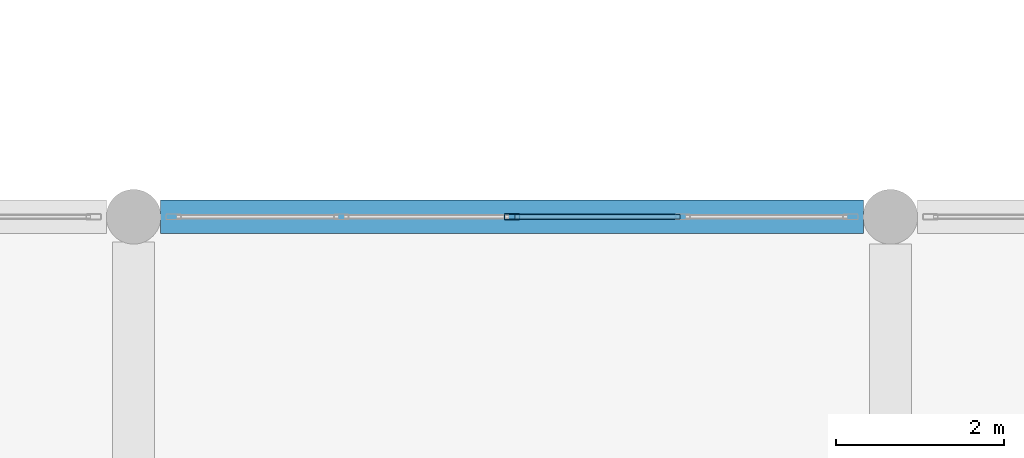
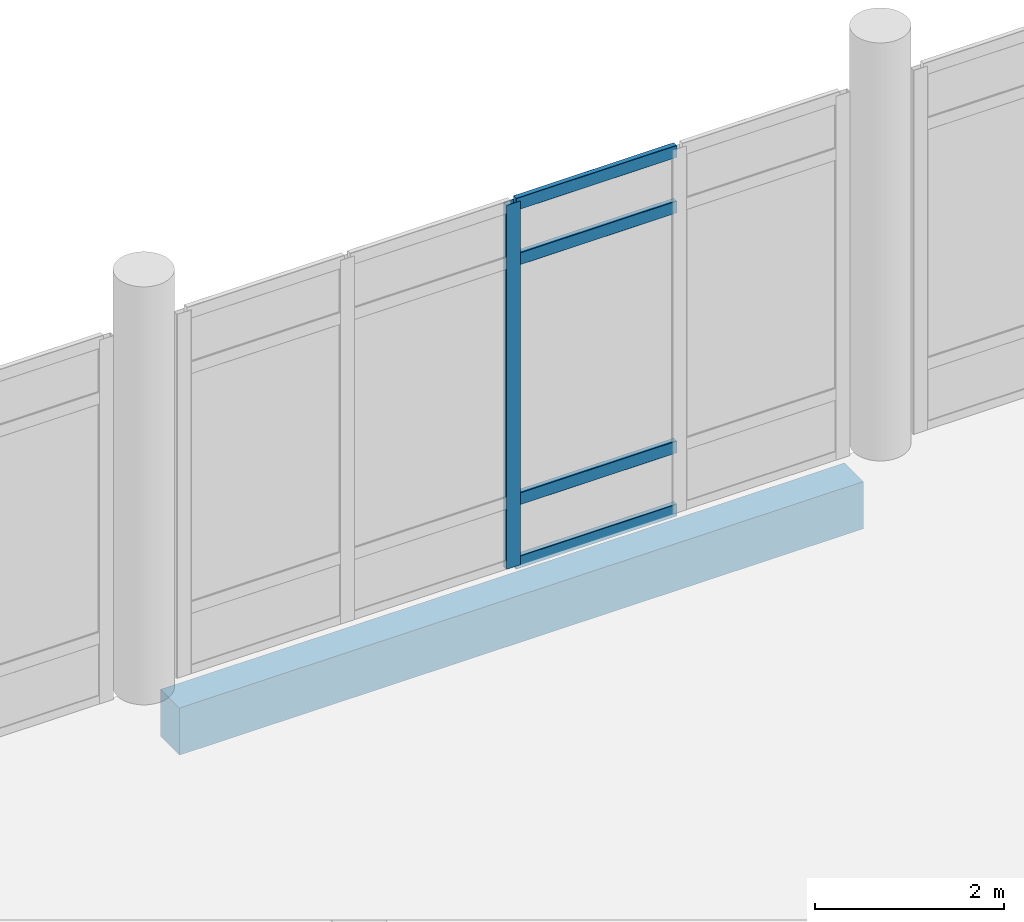
# One storey, part 45 of 180: 5 members, 1 beam, 1 element without a shape of its own.
"""IFC4 building model written with IfcOpenShell, lengths in metres."""

from ifc_helpers import new_model, si_unit, direction, frame, origin, origin_2d, place, context, subcontext, project, spatial, rectangle, hollow_rectangle, extrude, material, material_profile, profile_set, type_object, element, aggregate, save


model = new_model("IFC4")

# Units and contexts
model_context = context("Model", 3, precision=1e-05, world=origin(), true_north=direction((0.0, 1.0)))
body_context = subcontext(model_context, "Body", "Model", "MODEL_VIEW")
ifc_project = project(units=[si_unit("LENGTHUNIT", "METRE"), si_unit("AREAUNIT", "SQUARE_METRE"), si_unit("VOLUMEUNIT", "CUBIC_METRE"), si_unit("PLANEANGLEUNIT", "RADIAN"), si_unit("MASSUNIT", "GRAM", prefix="KILO")], contexts=[model_context])

# Site, building, storey
site_placement = place(None, origin())
site = spatial("IfcSite", under=ifc_project, at=site_placement, CompositionType="ELEMENT")
building_placement = place(site_placement, origin())
building = spatial("IfcBuilding", under=site, at=building_placement, Name="Lusvemor Sports Hall", CompositionType="ELEMENT")
storey_placement = place(building_placement, frame((0.0, 0.0, 5.39990234375)))
storey = spatial("IfcBuildingStorey", under=building, at=storey_placement, Name="L01", CompositionType="ELEMENT", Elevation=5.39990234375)

# Curtain wall, members
ifc_material_1 = material(Name="Thermally broken bronze-anodized aluminium", Category="aluminium")
curtain_wall_type = type_object("IfcCurtainWallType", Name="CW_FOYER_A", PredefinedType="NOTDEFINED", material=ifc_material_1)
curtain_wall_placement = place(storey_placement, origin())
curtain_wall = element("IfcCurtainWall", 1, at=curtain_wall_placement, inside=storey, type_object=curtain_wall_type, Name="Curtain Wall CW-V4N-L01-3", PredefinedType="NOTDEFINED")
ifc_material_2 = material(Name="Thermally broken bronze-anodized aluminium", Category="aluminium")
ifc_material_profile_1 = material_profile(ifc_material_2, hollow_rectangle(XDim=0.070068359375, YDim=0.179931640625, WallThickness=0.0048828125, InnerFilletRadius=0.0048828125, OuterFilletRadius=0.010009765625, at=origin_2d()), Name="CWMUL180x70x5")
ifc_profile_set_1 = profile_set([ifc_material_profile_1], Name="Thermally broken bronze-anodized aluminium")
member_type_1 = type_object("IfcMemberType", Name="CW_MUL_A", PredefinedType="MULLION", material=ifc_profile_set_1)
member_1_placement = place(storey_placement, frame((107.10009765625, 28.800048828125, 0.0), z_axis=(0.0, 0.0, 1.0), x_axis=(0.0, 1.0, 0.0)))
member_1 = element("IfcMember", 2, at=member_1_placement, type_object=member_type_1, Name="CW01 mullion 3", PredefinedType="MULLION", context=body_context, shape_type="SweptSolid", body=[
    extrude(hollow_rectangle(XDim=0.070068359375, YDim=0.179931640625, WallThickness=0.0048828125, InnerFilletRadius=0.0048828125, OuterFilletRadius=0.010009765625, at=origin_2d()), origin(), (0.0, 0.0, 1.0), 4.7001953125),
])
ifc_material_3 = material(Name="Thermally broken bronze-anodized aluminium", Category="aluminium")
ifc_material_profile_2 = material_profile(ifc_material_3, hollow_rectangle(XDim=0.06494140625, YDim=0.159912109375, WallThickness=0.00390625, InnerFilletRadius=0.00390625, OuterFilletRadius=0.008056640625, at=origin_2d()), Name="CWTRN160x65x4")
ifc_profile_set_2 = profile_set([ifc_material_profile_2], Name="Thermally broken bronze-anodized aluminium")
member_type_2 = type_object("IfcMemberType", Name="CW_TRN_A", PredefinedType="USERDEFINED", material=ifc_profile_set_2)
member_2_placement = place(storey_placement, frame((107.135009765625, 28.800048828125, 0.03271484375), z_axis=(1.0, 0.0, 0.0), x_axis=(0.0, 1.0, 0.0)))
member_2 = element("IfcMember", 3, at=member_2_placement, type_object=member_type_2, Name="CW01 transom 3.1", ObjectType="TRANSOM", PredefinedType="USERDEFINED", context=body_context, shape_type="SweptSolid", body=[
    extrude(hollow_rectangle(XDim=0.06494140625, YDim=0.159912109375, WallThickness=0.00390625, InnerFilletRadius=0.00390625, OuterFilletRadius=0.008056640625, at=origin_2d()), origin(), (0.0, 0.0, 1.0), 1.9599609375),
])
member_3_placement = place(storey_placement, frame((107.135009765625, 28.800048828125, 0.85009765625), z_axis=(1.0, 0.0, 0.0), x_axis=(0.0, 1.0, 0.0)))
member_3 = element("IfcMember", 4, at=member_3_placement, type_object=member_type_2, Name="CW01 transom 3.2", ObjectType="TRANSOM", PredefinedType="USERDEFINED", context=body_context, shape_type="SweptSolid", body=[
    extrude(hollow_rectangle(XDim=0.06494140625, YDim=0.159912109375, WallThickness=0.00390625, InnerFilletRadius=0.00390625, OuterFilletRadius=0.008056640625, at=origin_2d()), origin(), (0.0, 0.0, 1.0), 1.9599609375),
])
member_4_placement = place(storey_placement, frame((107.135009765625, 28.800048828125, 3.9501953125), z_axis=(1.0, 0.0, 0.0), x_axis=(0.0, 1.0, 0.0)))
member_4 = element("IfcMember", 5, at=member_4_placement, type_object=member_type_2, Name="CW01 transom 3.3", ObjectType="TRANSOM", PredefinedType="USERDEFINED", context=body_context, shape_type="SweptSolid", body=[
    extrude(hollow_rectangle(XDim=0.06494140625, YDim=0.159912109375, WallThickness=0.00390625, InnerFilletRadius=0.00390625, OuterFilletRadius=0.008056640625, at=origin_2d()), origin(), (0.0, 0.0, 1.0), 1.9599609375),
])
member_5_placement = place(storey_placement, frame((107.135009765625, 28.800048828125, 4.66748046875), z_axis=(1.0, 0.0, 0.0), x_axis=(0.0, 1.0, 0.0)))
member_5 = element("IfcMember", 6, at=member_5_placement, type_object=member_type_2, Name="CW01 transom 3.4", ObjectType="TRANSOM", PredefinedType="USERDEFINED", context=body_context, shape_type="SweptSolid", body=[
    extrude(hollow_rectangle(XDim=0.06494140625, YDim=0.159912109375, WallThickness=0.00390625, InnerFilletRadius=0.00390625, OuterFilletRadius=0.008056640625, at=origin_2d()), origin(), (0.0, 0.0, 1.0), 1.9599609375),
])
aggregate(curtain_wall, [member_1, member_2, member_3, member_4, member_5])

# Beam
ifc_material_4 = material(Name="Concrete C40/50", Category="concrete")
ifc_material_profile_3 = material_profile(ifc_material_4, rectangle(XDim=0.39990234375, YDim=0.610107421875, at=origin_2d()), Name="RC400x610")
ifc_profile_set_3 = profile_set([ifc_material_profile_3], Name="Concrete C40/50")
beam_type = type_object("IfcBeamType", Name="SPAND_EXT_650", PredefinedType="SPANDREL", material=ifc_profile_set_3)
beam_placement = place(storey_placement, frame((102.9208984375, 28.800048828125, -0.56494140625), z_axis=(1.0, 0.0, 0.0), x_axis=(0.0, 1.0, 0.0)))
element("IfcBeam", 7, at=beam_placement, inside=storey, type_object=beam_type, Name="Beam L01 D:11-12", PredefinedType="SPANDREL", context=body_context, shape_type="SweptSolid", body=[
    extrude(rectangle(XDim=0.39990234375, YDim=0.610107421875, at=origin_2d()), origin(), (0.0, 0.0, 1.0), 8.358154296875),
])

save(model, "model.ifc")
